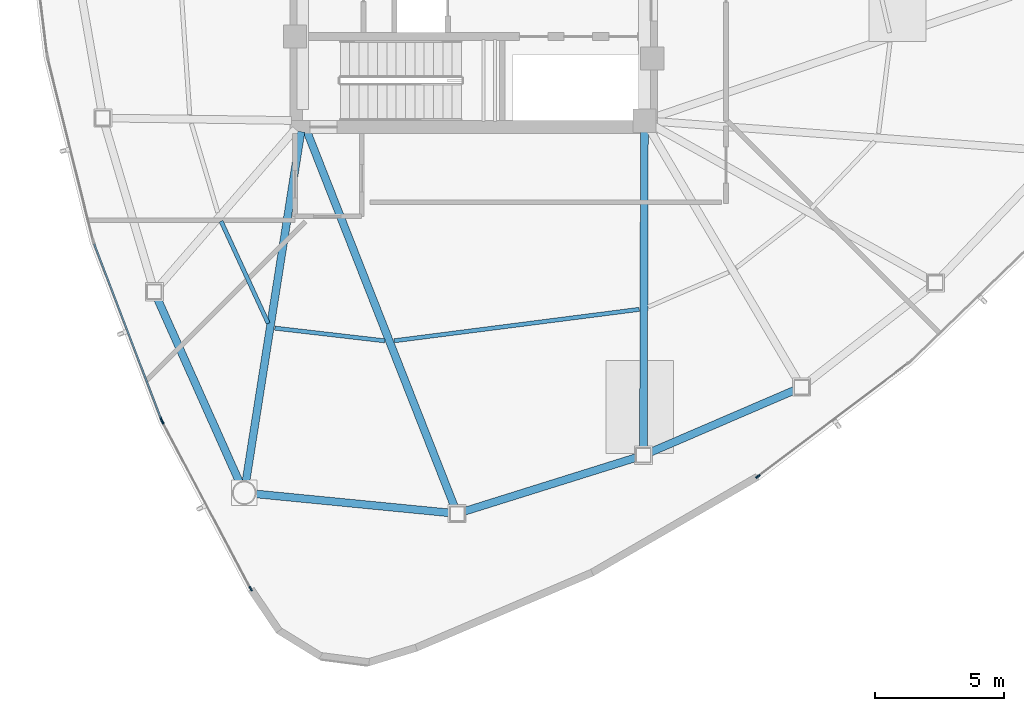
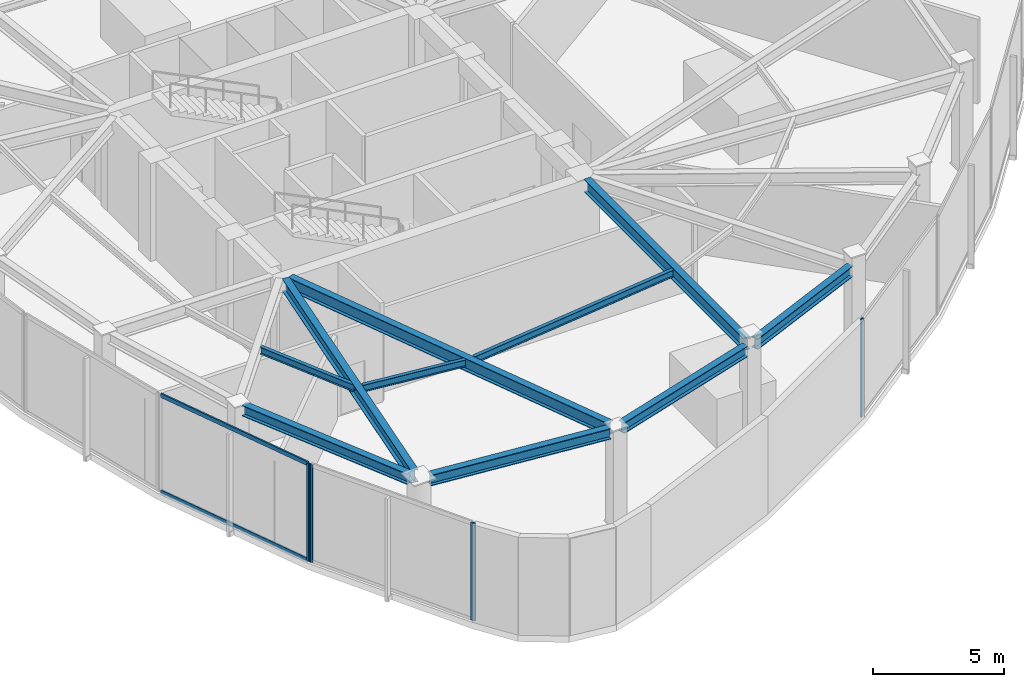
# One storey, part 2 of 17: 10 beams, 6 members, 3 elements without a shape of their own.
"""IFC4 building model written with IfcOpenShell, lengths in metres."""

from ifc_helpers import new_model, si_unit, direction, frame, origin, origin_2d, place, context, subcontext, project, spatial, hollow_rectangle, i_section, extrude, source, transform, mapped, material, layer, layer_set, material_profile, profile_set, type_object, type_shapes, element, aggregate, save


model = new_model("IFC4")

# Units and contexts
model_context = context("Model", 3, precision=1e-05, world=origin(), true_north=direction((0.0, 1.0)))
body_context = subcontext(model_context, "Body", "Model", "MODEL_VIEW")
ifc_project = project(units=[si_unit("LENGTHUNIT", "METRE"), si_unit("AREAUNIT", "SQUARE_METRE"), si_unit("VOLUMEUNIT", "CUBIC_METRE"), si_unit("PLANEANGLEUNIT", "RADIAN"), si_unit("MASSUNIT", "GRAM", prefix="KILO")], contexts=[model_context])

# Site, building, storey
site_placement = place(None, origin())
site = spatial("IfcSite", under=ifc_project, at=site_placement, CompositionType="ELEMENT")
building_placement = place(site_placement, origin())
building = spatial("IfcBuilding", under=site, at=building_placement, Name="Tavelor Broadcast Tower", CompositionType="ELEMENT")
storey_placement = place(building_placement, frame((0.0, 0.0, 204.14990234375)))
storey = spatial("IfcBuildingStorey", under=building, at=storey_placement, Name="L49", CompositionType="ELEMENT", Elevation=204.14990234375)

# Beams
ifc_material_1 = material(Name="Steel S355", Category="steel")
ifc_material_profile_1 = material_profile(ifc_material_1, i_section(OverallWidth=0.159912109375, OverallDepth=0.330078125, WebThickness=0.007568359375, FlangeThickness=0.011474609375, at=origin_2d()), Name="IPE 330")
ifc_profile_set_1 = profile_set([ifc_material_profile_1], Name="Steel S355")
beam_type_1 = type_object("IfcBeamType", Name="Composite Floor Joist T4 IPE 330", PredefinedType="JOIST", material=ifc_profile_set_1)
beam_1_placement = place(storey_placement, frame((40.2470703125, 34.91259765625, 4.385009765625), z_axis=(0.418865688231, -0.908048200936, 0.0), x_axis=(0.908048200936, 0.418865688231, 0.0)))
element("IfcBeam", 1, at=beam_1_placement, inside=storey, type_object=beam_type_1, Name="L49 Secondary Composite Floor Joist 06", PredefinedType="JOIST", context=body_context, shape_type="SweptSolid", body=[
    extrude(i_section(OverallWidth=0.159912109375, OverallDepth=0.330078125, WebThickness=0.007568359375, FlangeThickness=0.011474609375, at=origin_2d()), origin(), (0.0, 0.0, 1.0), 4.343505859375),
])
beam_2_placement = place(storey_placement, frame((42.322021484375, 30.783447265625, 4.385009765625), z_axis=(0.99339343168, -0.114758397927, 0.0), x_axis=(0.114758397927, 0.99339343168, 0.0)))
element("IfcBeam", 2, at=beam_2_placement, inside=storey, type_object=beam_type_1, Name="L49 Secondary Composite Floor Joist 07", PredefinedType="JOIST", context=body_context, shape_type="SweptSolid", body=[
    extrude(i_section(OverallWidth=0.159912109375, OverallDepth=0.330078125, WebThickness=0.007568359375, FlangeThickness=0.011474609375, at=origin_2d()), origin(), (0.0, 0.0, 1.0), 4.2783203125),
])
beam_3_placement = place(storey_placement, frame((46.931396484375, 30.294921875, 4.385009765625), z_axis=(0.991879761862, 0.127179157129, 0.0), x_axis=(-0.127179157129, 0.991879761862, 0.0)))
element("IfcBeam", 3, at=beam_3_placement, inside=storey, type_object=beam_type_1, Name="L49 Secondary Composite Floor Joist 08", PredefinedType="JOIST", context=body_context, shape_type="SweptSolid", body=[
    extrude(i_section(OverallWidth=0.159912109375, OverallDepth=0.330078125, WebThickness=0.007568359375, FlangeThickness=0.011474609375, at=origin_2d()), origin(), (0.0, 0.0, 1.0), 9.54443359375),
])
ifc_material_profile_2 = material_profile(ifc_material_1, i_section(OverallWidth=0.300048828125, OverallDepth=0.5, WebThickness=0.014404296875, FlangeThickness=0.028076171875, at=origin_2d()), Name="HEB 500")
ifc_profile_set_2 = profile_set([ifc_material_profile_2], Name="Steel S355")
beam_type_2 = type_object("IfcBeamType", Name="Perimeter Spandrel Beam T4 HEB 500", PredefinedType="SPANDREL", material=ifc_profile_set_2)
beam_4_placement = place(storey_placement, frame((37.78564453125, 31.927490234375, 4.300048828125), z_axis=(0.407969002466, -0.912995779304, 0.0), x_axis=(0.912995779304, 0.407969002466, 0.0)))
element("IfcBeam", 4, at=beam_4_placement, inside=storey, type_object=beam_type_2, Name="L49 Framed-Tube Ring Spandrel 06", PredefinedType="SPANDREL", context=body_context, shape_type="SweptSolid", body=[
    extrude(i_section(OverallWidth=0.300048828125, OverallDepth=0.5, WebThickness=0.014404296875, FlangeThickness=0.028076171875, at=origin_2d()), origin(), (0.0, 0.0, 1.0), 7.7802734375),
])
beam_5_placement = place(storey_placement, frame((41.5751953125, 24.381103515625, 4.300048828125), z_axis=(0.995249339376, -0.097358884918, 0.0), x_axis=(0.097358884918, 0.995249339376, 0.0)))
element("IfcBeam", 5, at=beam_5_placement, inside=storey, type_object=beam_type_2, Name="L49 Framed-Tube Ring Spandrel 07", PredefinedType="SPANDREL", context=body_context, shape_type="SweptSolid", body=[
    extrude(i_section(OverallWidth=0.300048828125, OverallDepth=0.5, WebThickness=0.014404296875, FlangeThickness=0.028076171875, at=origin_2d()), origin(), (0.0, 0.0, 1.0), 7.54052734375),
])
beam_6_placement = place(storey_placement, frame((49.641357421875, 23.705078125, 4.300048828125), z_axis=(0.954273247332, 0.298935727918, 0.0), x_axis=(-0.298935727918, 0.954273247332, 0.0)))
element("IfcBeam", 6, at=beam_6_placement, inside=storey, type_object=beam_type_2, Name="L49 Framed-Tube Ring Spandrel 08", PredefinedType="SPANDREL", context=body_context, shape_type="SweptSolid", body=[
    extrude(i_section(OverallWidth=0.300048828125, OverallDepth=0.5, WebThickness=0.014404296875, FlangeThickness=0.028076171875, at=origin_2d()), origin(), (0.0, 0.0, 1.0), 6.963134765625),
])
beam_7_placement = place(storey_placement, frame((56.825439453125, 25.98681640625, 4.300048828125), z_axis=(0.91846180915, 0.395509677672, 0.0), x_axis=(-0.395509677672, 0.91846180915, 0.0)))
element("IfcBeam", 7, at=beam_7_placement, inside=storey, type_object=beam_type_2, Name="L49 Framed-Tube Ring Spandrel 09", PredefinedType="SPANDREL", context=body_context, shape_type="SweptSolid", body=[
    extrude(i_section(OverallWidth=0.300048828125, OverallDepth=0.5, WebThickness=0.014404296875, FlangeThickness=0.028076171875, at=origin_2d()), origin(), (0.0, 0.0, 1.0), 6.07470703125),
])
ifc_material_profile_3 = material_profile(ifc_material_1, i_section(OverallWidth=0.300048828125, OverallDepth=0.590087890625, WebThickness=0.012939453125, FlangeThickness=0.02490234375, at=origin_2d()), Name="HEA 600")
ifc_profile_set_3 = profile_set([ifc_material_profile_3], Name="Steel S355")
beam_type_3 = type_object("IfcBeamType", Name="Radial Floor Girder T4 HEA 600", PredefinedType="BEAM", material=ifc_profile_set_3)
beam_8_placement = place(storey_placement, frame((43.3330078125, 38.373291015625, 4.255126953125), z_axis=(-0.15539903111, -0.987851780952, 0.0), x_axis=(0.987851780952, -0.15539903111, 0.0)))
element("IfcBeam", 8, at=beam_8_placement, inside=storey, type_object=beam_type_3, Name="L49 Radial Primary Floor Girder 07", PredefinedType="BEAM", context=body_context, shape_type="SweptSolid", body=[
    extrude(i_section(OverallWidth=0.300048828125, OverallDepth=0.590087890625, WebThickness=0.012939453125, FlangeThickness=0.02490234375, at=origin_2d()), origin(), (0.0, 0.0, 1.0), 13.682373046875),
])
beam_9_placement = place(storey_placement, frame((43.55810546875, 38.39794921875, 4.255126953125), z_axis=(0.365784627572, -0.930699525213, 0.0), x_axis=(0.930699525213, 0.365784627572, 0.0)))
element("IfcBeam", 9, at=beam_9_placement, inside=storey, type_object=beam_type_3, Name="L49 Radial Primary Floor Girder 08", PredefinedType="BEAM", context=body_context, shape_type="SweptSolid", body=[
    extrude(i_section(OverallWidth=0.300048828125, OverallDepth=0.590087890625, WebThickness=0.012939453125, FlangeThickness=0.02490234375, at=origin_2d()), origin(), (0.0, 0.0, 1.0), 15.591552734375),
])
beam_10_placement = place(storey_placement, frame((56.5986328125, 38.367919921875, 4.255126953125), z_axis=(-0.0029999865, -0.99999550003, 0.0), x_axis=(0.99999550003, -0.0029999865, 0.0)))
element("IfcBeam", 10, at=beam_10_placement, inside=storey, type_object=beam_type_3, Name="L49 Radial Primary Floor Girder 09", PredefinedType="BEAM", context=body_context, shape_type="SweptSolid", body=[
    extrude(i_section(OverallWidth=0.300048828125, OverallDepth=0.590087890625, WebThickness=0.012939453125, FlangeThickness=0.02490234375, at=origin_2d()), origin(), (0.0, 0.0, 1.0), 12.20703125),
])

# Curtain wall, member
ifc_material_2 = material(Name="Architectural Anodized Aluminium", Category="aluminium")
ifc_layer = layer(ifc_material_2, 0.18994140625)
ifc_layer_set = layer_set([ifc_layer], Name="Architectural Anodized Aluminium")
curtain_wall_type = type_object("IfcCurtainWallType", Name="Tower Mid-Zone Acoustic Curtain Wall CW03", PredefinedType="NOTDEFINED", material=ifc_layer_set)
curtain_wall_1_placement = place(storey_placement, origin())
curtain_wall_1 = element("IfcCurtainWall", 11, at=curtain_wall_1_placement, inside=storey, type_object=curtain_wall_type, Name="L49 Curtain Wall CW03 Run 531", PredefinedType="NOTDEFINED")
ifc_material_profile_4 = material_profile(ifc_material_2, hollow_rectangle(XDim=0.068115234375, YDim=0.18994140625, WallThickness=0.02197265625, at=origin_2d()), Name="RHS 68x190x22")
ifc_profile_set_4 = profile_set([ifc_material_profile_4], Name="Architectural Anodized Aluminium")
member_type_1 = type_object("IfcMemberType", Name="CW03 Extruded Aluminium Mullion 68x190", PredefinedType="MULLION", material=ifc_profile_set_4)
shared_shape_1 = source(origin(), body_context, "Body", "SweptSolid", [
    extrude(hollow_rectangle(XDim=0.068115234375, YDim=0.18994140625, WallThickness=0.02197265625, at=origin_2d()), origin(), (0.0, 0.0, 1.0), 4.550048828125),
])
type_shapes(member_type_1, [shared_shape_1])
member_1_placement = place(storey_placement, frame((37.9365234375, 27.2607421875, 0.0), z_axis=(0.0, 0.0, 1.0), x_axis=(0.934042497747, 0.357161885429, 0.0)))
member_1 = element("IfcMember", 12, at=member_1_placement, type_object=member_type_1, Name="CW03 mullion 2", PredefinedType="MULLION", context=body_context, shape_type="MappedRepresentation", body=[
    mapped(shared_shape_1, transform((0.0, 0.0, 0.0), scale=1.0)),
])

# Curtain wall, members
curtain_wall_2_placement = place(storey_placement, origin())
curtain_wall_2 = element("IfcCurtainWall", 13, at=curtain_wall_2_placement, inside=storey, type_object=curtain_wall_type, Name="L49 Curtain Wall CW03 Run 532", PredefinedType="NOTDEFINED")
member_2_placement = place(storey_placement, frame((37.976806640625, 27.171630859375, 0.0), z_axis=(0.0, 0.0, 1.0), x_axis=(0.883959437736, 0.467563591865, 0.0)))
member_2 = element("IfcMember", 14, at=member_2_placement, type_object=member_type_1, Name="CW03 mullion 1", PredefinedType="MULLION", context=body_context, shape_type="MappedRepresentation", body=[
    mapped(shared_shape_1, transform((0.0, 0.0, 0.0), scale=1.0)),
])
member_3_placement = place(storey_placement, frame((41.391845703125, 20.71533203125, 0.0), z_axis=(0.0, 0.0, 1.0), x_axis=(0.883959437736, 0.467563591865, 0.0)))
member_3 = element("IfcMember", 15, at=member_3_placement, type_object=member_type_1, Name="CW03 mullion 2", PredefinedType="MULLION", context=body_context, shape_type="MappedRepresentation", body=[
    mapped(shared_shape_1, transform((0.0, 0.0, 0.0), scale=1.0)),
])
aggregate(curtain_wall_2, [member_2, member_3])

# Curtain wall, member
curtain_wall_3_placement = place(storey_placement, origin())
curtain_wall_3 = element("IfcCurtainWall", 16, at=curtain_wall_3_placement, inside=storey, type_object=curtain_wall_type, Name="L49 Curtain Wall CW03 Run 533", PredefinedType="NOTDEFINED")
member_4_placement = place(storey_placement, frame((60.9853515625, 25.0537109375, 0.0), z_axis=(0.0, 0.0, 1.0), x_axis=(-0.602164201864, 0.798372265295, 0.0)))
member_4 = element("IfcMember", 17, at=member_4_placement, type_object=member_type_1, Name="CW03 mullion 1", PredefinedType="MULLION", context=body_context, shape_type="MappedRepresentation", body=[
    mapped(shared_shape_1, transform((0.0, 0.0, 0.0), scale=1.0)),
])
aggregate(curtain_wall_3, [member_4])

# Member
ifc_material_profile_5 = material_profile(ifc_material_2, hollow_rectangle(XDim=0.068115234375, YDim=0.18994140625, WallThickness=0.02197265625, at=origin_2d()), Name="RHS 68x190x22")
ifc_profile_set_5 = profile_set([ifc_material_profile_5], Name="Architectural Anodized Aluminium")
member_type_2 = type_object("IfcMemberType", Name="CW03 Extruded Aluminium Transom 68x190", PredefinedType="USERDEFINED", material=ifc_profile_set_5)
shared_shape_2 = source(origin(), body_context, "Body", "SweptSolid", [
    extrude(hollow_rectangle(XDim=0.068115234375, YDim=0.18994140625, WallThickness=0.02197265625, at=origin_2d()), origin(), (0.0, 0.0, 1.0), 7.2197265625),
])
type_shapes(member_type_2, [shared_shape_2])
member_5_placement = place(storey_placement, frame((35.345703125, 34.0361328125, 0.0341796875), z_axis=(0.357156555852, -0.934044535669, 0.0), x_axis=(0.934044535669, 0.357156555852, 0.0)))
member_5 = element("IfcMember", 18, at=member_5_placement, type_object=member_type_2, Name="CW03 transom 1.1", ObjectType="TRANSOM", PredefinedType="USERDEFINED", context=body_context, shape_type="MappedRepresentation", body=[
    mapped(shared_shape_2, transform((0.0, 0.0, 0.0), scale=1.0)),
])

member_6_placement = place(storey_placement, frame((35.345703125, 34.0361328125, 4.51611328125), z_axis=(0.357156555852, -0.934044535669, 0.0), x_axis=(0.934044535669, 0.357156555852, 0.0)))
member_6 = element("IfcMember", 19, at=member_6_placement, type_object=member_type_2, Name="CW03 transom 1.2", ObjectType="TRANSOM", PredefinedType="USERDEFINED", context=body_context, shape_type="MappedRepresentation", body=[
    mapped(shared_shape_2, transform((0.0, 0.0, 0.0), scale=1.0)),
])

aggregate(curtain_wall_1, [member_1, member_5, member_6])

save(model, "model.ifc")
